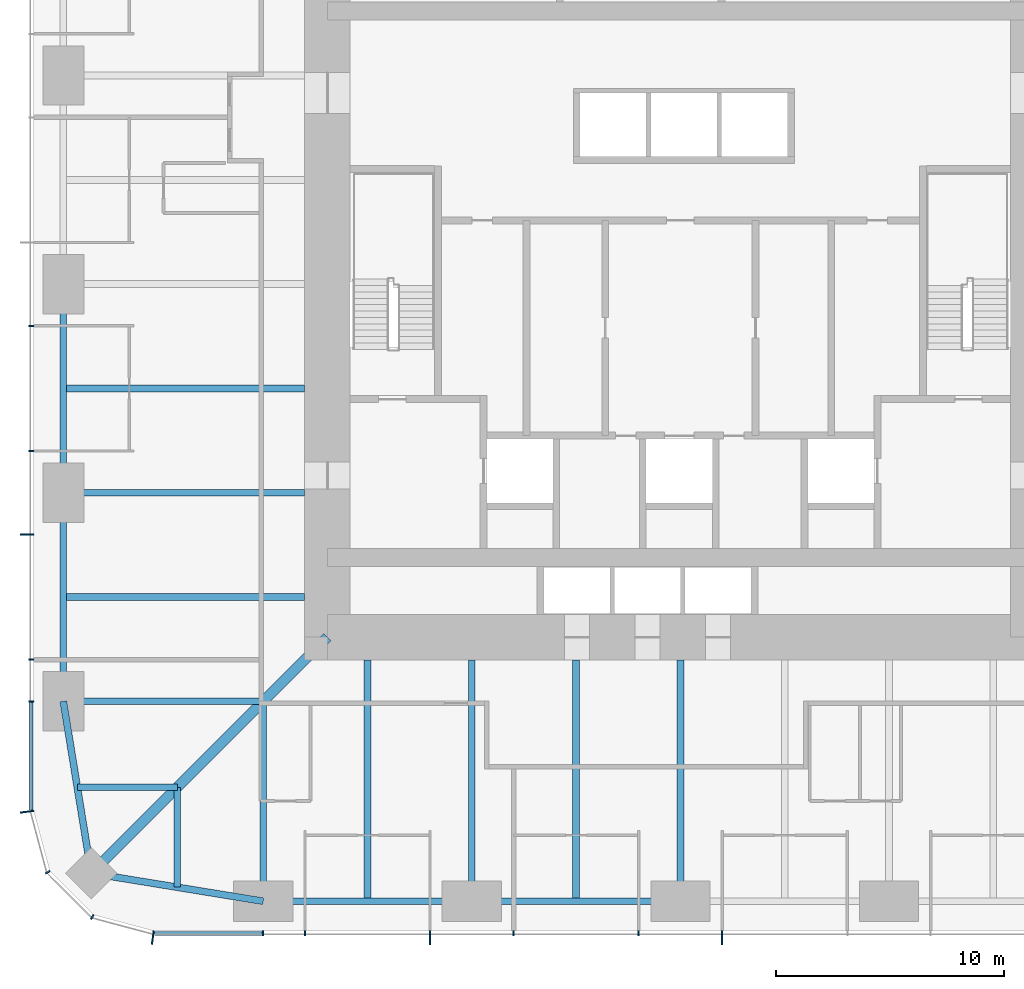
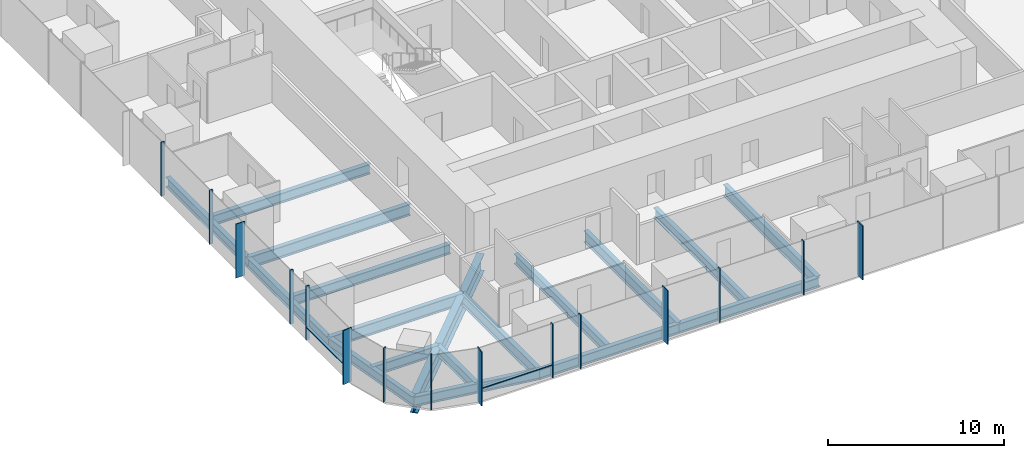
# One storey, part 2 of 12: 18 beams, 17 members, 3 elements without a shape of their own.
"""IFC4 building model written with IfcOpenShell, lengths in metres."""

from ifc_helpers import new_model, si_unit, direction, frame, origin, origin_2d, place, context, subcontext, project, spatial, rectangle, i_section, extrude, material, material_profile, profile_set, type_object, element, aggregate, save


model = new_model("IFC4")

# Units and contexts
model_context = context("Model", 3, precision=1e-05, world=origin(), true_north=direction((0.0, 1.0)))
body_context = subcontext(model_context, "Body", "Model", "MODEL_VIEW")
ifc_project = project(units=[si_unit("LENGTHUNIT", "METRE"), si_unit("AREAUNIT", "SQUARE_METRE"), si_unit("VOLUMEUNIT", "CUBIC_METRE"), si_unit("PLANEANGLEUNIT", "RADIAN"), si_unit("MASSUNIT", "GRAM", prefix="KILO")], contexts=[model_context])

# Site, building, storey
site_placement = place(None, origin())
site = spatial("IfcSite", under=ifc_project, at=site_placement, CompositionType="ELEMENT")
building_placement = place(site_placement, origin())
building = spatial("IfcBuilding", under=site, at=building_placement, Name="Khuree Lantern Residences", CompositionType="ELEMENT")
storey_placement = place(building_placement, frame((0.0, 0.0, 167.25)))
storey = spatial("IfcBuildingStorey", under=building, at=storey_placement, Name="L42", CompositionType="ELEMENT", Elevation=167.25)

# Beams
ifc_material_1 = material(Name="Steel S355", Category="steel")
ifc_material_profile_1 = material_profile(ifc_material_1, i_section(OverallWidth=0.300048828125, OverallDepth=0.68994140625, WebThickness=0.014404296875, FlangeThickness=0.027099609375, FilletRadius=0.027099609375, at=origin_2d()), Name="HE 700 A")
ifc_profile_set_1 = profile_set([ifc_material_profile_1], Name="Steel S355")
beam_type_1 = type_object("IfcBeamType", Name="B-24 SECONDARY BEAM HE 700 A", PredefinedType="BEAM", material=ifc_profile_set_1)
for number, where, z_axis, x_axis, name in (
    (1, (-4.580078125, -27.10009765625, -0.594970703125), (0.0, 1.0, 0.0), (-1.0, 0.0, 0.0), "Secondary beam S4"),
    (2, (-13.739990234375, -27.10009765625, -0.594970703125), (0.0, 1.0, 0.0), (-1.0, 0.0, 0.0), "Secondary beam S5"),
):
    element("IfcBeam", number, at=place(storey_placement, frame(where, z_axis=z_axis, x_axis=x_axis)), inside=storey, type_object=beam_type_1, Name=name, PredefinedType="BEAM", context=body_context, shape_type="SweptSolid", body=[
        extrude(i_section(OverallWidth=0.300048828125, OverallDepth=0.68994140625, WebThickness=0.014404296875, FlangeThickness=0.027099609375, FilletRadius=0.027099609375, at=origin_2d()), origin(), (0.0, 0.0, 1.0), 10.60009765625),
    ])
for number, where, z_axis, x_axis, name in (
    (3, (-22.094970703125, -26.48486328125, -0.594970703125), (0.0, 1.0, 0.0), (-1.0, 0.0, 0.0), "Secondary beam S6"),
    (4, (-26.48486328125, -22.094970703125, -0.594970703125), (1.0, 0.0, 0.0), (0.0, 1.0, 0.0), "Secondary beam W1"),
):
    element("IfcBeam", number, at=place(storey_placement, frame(where, z_axis=z_axis, x_axis=x_axis)), inside=storey, type_object=beam_type_1, Name=name, PredefinedType="BEAM", context=body_context, shape_type="SweptSolid", body=[
        extrude(i_section(OverallWidth=0.300048828125, OverallDepth=0.68994140625, WebThickness=0.014404296875, FlangeThickness=0.027099609375, FilletRadius=0.027099609375, at=origin_2d()), origin(), (0.0, 0.0, 1.0), 4.389892578125),
    ])
for number, where, z_axis, x_axis, name in (
    (5, (-27.10009765625, -13.739990234375, -0.594970703125), (1.0, 0.0, 0.0), (0.0, 1.0, 0.0), "Secondary beam W2"),
    (6, (-27.10009765625, -4.580078125, -0.594970703125), (1.0, 0.0, 0.0), (0.0, 1.0, 0.0), "Secondary beam W3"),
):
    element("IfcBeam", number, at=place(storey_placement, frame(where, z_axis=z_axis, x_axis=x_axis)), inside=storey, type_object=beam_type_1, Name=name, PredefinedType="BEAM", context=body_context, shape_type="SweptSolid", body=[
        extrude(i_section(OverallWidth=0.300048828125, OverallDepth=0.68994140625, WebThickness=0.014404296875, FlangeThickness=0.027099609375, FilletRadius=0.027099609375, at=origin_2d()), origin(), (0.0, 0.0, 1.0), 10.60009765625),
    ])
ifc_material_profile_2 = material_profile(ifc_material_1, i_section(OverallWidth=0.300048828125, OverallDepth=0.68994140625, WebThickness=0.014404296875, FlangeThickness=0.027099609375, FilletRadius=0.027099609375, at=origin_2d()), Name="HE 700 A")
ifc_profile_set_2 = profile_set([ifc_material_profile_2], Name="Steel S355")
beam_type_2 = type_object("IfcBeamType", Name="E-24 SPANDREL BEAM HE 700 A", PredefinedType="SPANDREL", material=ifc_profile_set_2)
beam_1_placement = place(storey_placement, frame((0.0, -27.10009765625, -0.594970703125), z_axis=(-1.0, 0.0, 0.0), x_axis=(0.0, -1.0, 0.0)))
element("IfcBeam", 7, at=beam_1_placement, inside=storey, type_object=beam_type_2, Name="Spandrel beam S4", PredefinedType="SPANDREL", context=body_context, shape_type="SweptSolid", body=[
    extrude(i_section(OverallWidth=0.300048828125, OverallDepth=0.68994140625, WebThickness=0.014404296875, FlangeThickness=0.027099609375, FilletRadius=0.027099609375, at=origin_2d()), origin(), (0.0, 0.0, 1.0), 9.159912109375),
])
beam_2_placement = place(storey_placement, frame((-9.159912109375, -27.10009765625, -0.594970703125), z_axis=(-1.0, 0.0, 0.0), x_axis=(0.0, -1.0, 0.0)))
element("IfcBeam", 8, at=beam_2_placement, inside=storey, type_object=beam_type_2, Name="Spandrel beam S5", PredefinedType="SPANDREL", context=body_context, shape_type="SweptSolid", body=[
    extrude(i_section(OverallWidth=0.300048828125, OverallDepth=0.68994140625, WebThickness=0.014404296875, FlangeThickness=0.027099609375, FilletRadius=0.027099609375, at=origin_2d()), origin(), (0.0, 0.0, 1.0), 9.16015625),
])
for number, where, z_axis, x_axis, name in (
    (9, (-18.320068359375, -27.10009765625, -0.594970703125), (-0.986982656839, 0.160826723833, 0.0), (-0.160826723833, -0.986982656839, 0.0), "Spandrel beam S6"),
    (10, (-25.869873046875, -25.869873046875, -0.594970703125), (-0.160826723833, 0.986982656839, 0.0), (-0.986982656839, -0.160826723833, 0.0), "Spandrel beam W1"),
):
    element("IfcBeam", number, at=place(storey_placement, frame(where, z_axis=z_axis, x_axis=x_axis)), inside=storey, type_object=beam_type_2, Name=name, PredefinedType="SPANDREL", context=body_context, shape_type="SweptSolid", body=[
        extrude(i_section(OverallWidth=0.300048828125, OverallDepth=0.68994140625, WebThickness=0.014404296875, FlangeThickness=0.027099609375, FilletRadius=0.027099609375, at=origin_2d()), origin(), (0.0, 0.0, 1.0), 7.6494140625),
    ])
beam_3_placement = place(storey_placement, frame((-27.10009765625, -18.320068359375, -0.594970703125), z_axis=(0.0, 1.0, 0.0), x_axis=(-1.0, 0.0, 0.0)))
element("IfcBeam", 11, at=beam_3_placement, inside=storey, type_object=beam_type_2, Name="Spandrel beam W2", PredefinedType="SPANDREL", context=body_context, shape_type="SweptSolid", body=[
    extrude(i_section(OverallWidth=0.300048828125, OverallDepth=0.68994140625, WebThickness=0.014404296875, FlangeThickness=0.027099609375, FilletRadius=0.027099609375, at=origin_2d()), origin(), (0.0, 0.0, 1.0), 9.16015625),
])
beam_4_placement = place(storey_placement, frame((-27.10009765625, -9.159912109375, -0.594970703125), z_axis=(0.0, 1.0, 0.0), x_axis=(-1.0, 0.0, 0.0)))
element("IfcBeam", 12, at=beam_4_placement, inside=storey, type_object=beam_type_2, Name="Spandrel beam W3", PredefinedType="SPANDREL", context=body_context, shape_type="SweptSolid", body=[
    extrude(i_section(OverallWidth=0.300048828125, OverallDepth=0.68994140625, WebThickness=0.014404296875, FlangeThickness=0.027099609375, FilletRadius=0.027099609375, at=origin_2d()), origin(), (0.0, 0.0, 1.0), 9.159912109375),
])

# Curtain wall, member
ifc_material_2 = material(Name="Bronze anodised aluminium", Category="aluminium")
curtain_wall_type_1 = type_object("IfcCurtainWallType", Name="CW-T1 TOWER FACE CURTAIN WALL", PredefinedType="USERDEFINED", material=ifc_material_2)
curtain_wall_1_placement = place(storey_placement, origin())
curtain_wall_1 = element("IfcCurtainWall", 13, at=curtain_wall_1_placement, inside=storey, type_object=curtain_wall_type_1, Name="L42 WEST FACE CURTAIN WALL", ObjectType="Stick-built curtain wall", PredefinedType="USERDEFINED")
ifc_material_profile_3 = material_profile(ifc_material_2, rectangle(XDim=0.06494140625, YDim=0.60009765625, at=origin_2d()), Name="F1 65X600")
ifc_profile_set_3 = profile_set([ifc_material_profile_3], Name="Bronze anodised aluminium")
member_type_1 = type_object("IfcMemberType", Name="F1 BRONZE FIN MULLION TOWER 65X600", PredefinedType="MULLION", material=ifc_profile_set_3)
member_1_placement = place(storey_placement, frame((-28.699951171875, -10.991943359375, 0.0), z_axis=(0.0, 0.0, 1.0), x_axis=(0.0, -1.0, 0.0)))
member_1 = element("IfcMember", 14, at=member_1_placement, type_object=member_type_1, Name="L42 WEST FACE FIN MULLION 40", PredefinedType="MULLION", context=body_context, shape_type="SweptSolid", body=[
    extrude(rectangle(XDim=0.06494140625, YDim=0.60009765625, at=origin_2d()), origin(), (0.0, 0.0, 1.0), 3.75),
])

curtain_wall_type_2 = type_object("IfcCurtainWallType", Name="CW-T2 TOWER CORNER CURTAIN WALL", PredefinedType="USERDEFINED", material=ifc_material_2)
curtain_wall_2_placement = place(storey_placement, origin())
curtain_wall_2 = element("IfcCurtainWall", 15, at=curtain_wall_2_placement, inside=storey, type_object=curtain_wall_type_2, Name="L42 SOUTH-WEST CORNER CURTAIN WALL", ObjectType="Faceted corner curtain wall", PredefinedType="USERDEFINED")
member_2_placement = place(storey_placement, frame((-28.7001953125, -23.169677734375, 0.0), z_axis=(0.0, 0.0, 1.0), x_axis=(0.130526223125, -0.991444857305, 0.0)))
member_2 = element("IfcMember", 16, at=member_2_placement, type_object=member_type_1, Name="L42 SOUTH-WEST CORNER FIN MULLION 43", PredefinedType="MULLION", context=body_context, shape_type="SweptSolid", body=[
    extrude(rectangle(XDim=0.06494140625, YDim=0.60009765625, at=origin_2d()), origin(), (0.0, 0.0, 1.0), 3.75),
])

# Curtain wall, members
curtain_wall_3_placement = place(storey_placement, origin())
curtain_wall_3 = element("IfcCurtainWall", 17, at=curtain_wall_3_placement, inside=storey, type_object=curtain_wall_type_1, Name="L42 SOUTH FACE CURTAIN WALL", ObjectType="Stick-built curtain wall", PredefinedType="USERDEFINED")
member_3_placement = place(storey_placement, frame((-23.169677734375, -28.7001953125, 0.0), z_axis=(0.0, 0.0, 1.0), x_axis=(0.991444857305, -0.130526223125, 0.0)))
member_3 = element("IfcMember", 18, at=member_3_placement, type_object=member_type_1, Name="L42 SOUTH FACE FIN MULLION 46", PredefinedType="MULLION", context=body_context, shape_type="SweptSolid", body=[
    extrude(rectangle(XDim=0.06494140625, YDim=0.60009765625, at=origin_2d()), origin(), (0.0, 0.0, 1.0), 3.75),
])
member_4_placement = place(storey_placement, frame((-10.991943359375, -28.699951171875, 0.0), z_axis=(0.0, 0.0, 1.0), x_axis=(1.0, 0.0, 0.0)))
member_4 = element("IfcMember", 19, at=member_4_placement, type_object=member_type_1, Name="L42 SOUTH FACE FIN MULLION 49", PredefinedType="MULLION", context=body_context, shape_type="SweptSolid", body=[
    extrude(rectangle(XDim=0.06494140625, YDim=0.60009765625, at=origin_2d()), origin(), (0.0, 0.0, 1.0), 3.75),
])
member_5_placement = place(storey_placement, frame((1.83203125, -28.699951171875, 0.0), z_axis=(0.0, 0.0, 1.0), x_axis=(1.0, 0.0, 0.0)))
member_5 = element("IfcMember", 20, at=member_5_placement, type_object=member_type_1, Name="L42 SOUTH FACE FIN MULLION 52", PredefinedType="MULLION", context=body_context, shape_type="SweptSolid", body=[
    extrude(rectangle(XDim=0.06494140625, YDim=0.60009765625, at=origin_2d()), origin(), (0.0, 0.0, 1.0), 3.75),
])

# Beams
ifc_material_profile_4 = material_profile(ifc_material_1, i_section(OverallWidth=0.300048828125, OverallDepth=0.800048828125, WebThickness=0.017578125, FlangeThickness=0.032958984375, FilletRadius=0.030029296875, at=origin_2d()), Name="HE 800 B")
ifc_profile_set_4 = profile_set([ifc_material_profile_4], Name="Steel S355")
beam_type_3 = type_object("IfcBeamType", Name="G-24 GIRDER HE 800 B", PredefinedType="BEAM", material=ifc_profile_set_4)
for number, where, z_axis, x_axis, name in (
    (21, (0.0, -27.10009765625, -0.64990234375), (0.0, 1.0, 0.0), (-1.0, 0.0, 0.0), "Girder S3"),
    (22, (-9.159912109375, -27.10009765625, -0.64990234375), (0.0, 1.0, 0.0), (-1.0, 0.0, 0.0), "Girder S4"),
):
    element("IfcBeam", number, at=place(storey_placement, frame(where, z_axis=z_axis, x_axis=x_axis)), inside=storey, type_object=beam_type_3, Name=name, PredefinedType="BEAM", context=body_context, shape_type="SweptSolid", body=[
        extrude(i_section(OverallWidth=0.300048828125, OverallDepth=0.800048828125, WebThickness=0.017578125, FlangeThickness=0.032958984375, FilletRadius=0.030029296875, at=origin_2d()), origin(), (0.0, 0.0, 1.0), 10.60009765625),
    ])
for number, where, z_axis, x_axis, name in (
    (23, (-18.320068359375, -27.10009765625, -0.64990234375), (0.0, 1.0, 0.0), (-1.0, 0.0, 0.0), "Girder S5"),
    (24, (-27.10009765625, -18.320068359375, -0.64990234375), (1.0, 0.0, 0.0), (0.0, 1.0, 0.0), "Girder W1"),
):
    element("IfcBeam", number, at=place(storey_placement, frame(where, z_axis=z_axis, x_axis=x_axis)), inside=storey, type_object=beam_type_3, Name=name, PredefinedType="BEAM", context=body_context, shape_type="SweptSolid", body=[
        extrude(i_section(OverallWidth=0.300048828125, OverallDepth=0.800048828125, WebThickness=0.017578125, FlangeThickness=0.032958984375, FilletRadius=0.030029296875, at=origin_2d()), origin(), (0.0, 0.0, 1.0), 8.780029296875),
    ])
beam_5_placement = place(storey_placement, frame((-27.10009765625, -9.159912109375, -0.64990234375), z_axis=(1.0, 0.0, 0.0), x_axis=(0.0, 1.0, 0.0)))
element("IfcBeam", 25, at=beam_5_placement, inside=storey, type_object=beam_type_3, Name="Girder W2", PredefinedType="BEAM", context=body_context, shape_type="SweptSolid", body=[
    extrude(i_section(OverallWidth=0.300048828125, OverallDepth=0.800048828125, WebThickness=0.017578125, FlangeThickness=0.032958984375, FilletRadius=0.030029296875, at=origin_2d()), origin(), (0.0, 0.0, 1.0), 10.60009765625),
])
ifc_material_profile_5 = material_profile(ifc_material_1, i_section(OverallWidth=0.449951171875, OverallDepth=1.199951171875, WebThickness=0.02490234375, FlangeThickness=0.044921875, at=origin_2d()), Name="WELDED I 1200X450X25X45")
ifc_profile_set_5 = profile_set([ifc_material_profile_5], Name="Steel S355")
beam_type_4 = type_object("IfcBeamType", Name="GD-24 CORNER GIRDER WELDED I 1200X450X25X45", PredefinedType="BEAM", material=ifc_profile_set_5)
beam_6_placement = place(storey_placement, frame((-25.869873046875, -25.869873046875, -0.85009765625), z_axis=(0.707106781187, 0.707106781187, 0.0), x_axis=(-0.707106781187, 0.707106781187, 0.0)))
element("IfcBeam", 26, at=beam_6_placement, inside=storey, type_object=beam_type_4, Name="Corner girder SW", PredefinedType="BEAM", context=body_context, shape_type="SweptSolid", body=[
    extrude(i_section(OverallWidth=0.449951171875, OverallDepth=1.199951171875, WebThickness=0.02490234375, FlangeThickness=0.044921875, at=origin_2d()), origin(), (0.0, 0.0, 1.0), 14.665283203125),
])

# Member
ifc_material_profile_6 = material_profile(ifc_material_2, rectangle(XDim=0.06494140625, YDim=0.219970703125, at=origin_2d()), Name="M1 65X220")
ifc_profile_set_6 = profile_set([ifc_material_profile_6], Name="Bronze anodised aluminium")
member_type_2 = type_object("IfcMemberType", Name="M1 BRONZE MULLION TOWER 65X220", PredefinedType="MULLION", material=ifc_profile_set_6)
member_6_placement = place(storey_placement, frame((-28.510009765625, -1.83203125, 0.0), z_axis=(0.0, 0.0, 1.0), x_axis=(0.0, -1.0, 0.0)))
member_6 = element("IfcMember", 27, at=member_6_placement, type_object=member_type_2, Name="L42 WEST FACE MULLION 38", PredefinedType="MULLION", context=body_context, shape_type="SweptSolid", body=[
    extrude(rectangle(XDim=0.06494140625, YDim=0.219970703125, at=origin_2d()), origin(), (0.0, 0.0, 1.0), 3.75),
])

member_7_placement = place(storey_placement, frame((-28.510009765625, -7.327880859375, 0.0), z_axis=(0.0, 0.0, 1.0), x_axis=(0.0, -1.0, 0.0)))
member_7 = element("IfcMember", 28, at=member_7_placement, type_object=member_type_2, Name="L42 WEST FACE MULLION 39", PredefinedType="MULLION", context=body_context, shape_type="SweptSolid", body=[
    extrude(rectangle(XDim=0.06494140625, YDim=0.219970703125, at=origin_2d()), origin(), (0.0, 0.0, 1.0), 3.75),
])

member_8_placement = place(storey_placement, frame((-28.510009765625, -16.488037109375, 0.0), z_axis=(0.0, 0.0, 1.0), x_axis=(0.0, -1.0, 0.0)))
member_8 = element("IfcMember", 29, at=member_8_placement, type_object=member_type_2, Name="L42 WEST FACE MULLION 41", PredefinedType="MULLION", context=body_context, shape_type="SweptSolid", body=[
    extrude(rectangle(XDim=0.06494140625, YDim=0.219970703125, at=origin_2d()), origin(), (0.0, 0.0, 1.0), 3.75),
])

member_9_placement = place(storey_placement, frame((-28.510009765625, -18.320068359375, 0.0), z_axis=(0.0, 0.0, 1.0), x_axis=(0.0, -1.0, 0.0)))
member_9 = element("IfcMember", 30, at=member_9_placement, type_object=member_type_2, Name="L42 WEST FACE MULLION 42", PredefinedType="MULLION", context=body_context, shape_type="SweptSolid", body=[
    extrude(rectangle(XDim=0.06494140625, YDim=0.219970703125, at=origin_2d()), origin(), (0.0, 0.0, 1.0), 3.75),
])

member_10_placement = place(storey_placement, frame((-27.7919921875, -25.830078125, 0.0), z_axis=(0.0, 0.0, 1.0), x_axis=(0.500000026995, -0.866025388199, 0.0)))
member_10 = element("IfcMember", 31, at=member_10_placement, type_object=member_type_2, Name="L42 SOUTH-WEST CORNER MULLION 44", PredefinedType="MULLION", context=body_context, shape_type="SweptSolid", body=[
    extrude(rectangle(XDim=0.06494140625, YDim=0.219970703125, at=origin_2d()), origin(), (0.0, 0.0, 1.0), 3.75),
])

member_11_placement = place(storey_placement, frame((-25.830078125, -27.7919921875, 0.0), z_axis=(0.0, 0.0, 1.0), x_axis=(0.866025388199, -0.500000026995, 0.0)))
member_11 = element("IfcMember", 32, at=member_11_placement, type_object=member_type_2, Name="L42 SOUTH-WEST CORNER MULLION 45", PredefinedType="MULLION", context=body_context, shape_type="SweptSolid", body=[
    extrude(rectangle(XDim=0.06494140625, YDim=0.219970703125, at=origin_2d()), origin(), (0.0, 0.0, 1.0), 3.75),
])

aggregate(curtain_wall_2, [member_2, member_10, member_11])

member_12_placement = place(storey_placement, frame((-18.320068359375, -28.510009765625, 0.0), z_axis=(0.0, 0.0, 1.0), x_axis=(1.0, 0.0, 0.0)))
member_12 = element("IfcMember", 33, at=member_12_placement, type_object=member_type_2, Name="L42 SOUTH FACE MULLION 47", PredefinedType="MULLION", context=body_context, shape_type="SweptSolid", body=[
    extrude(rectangle(XDim=0.06494140625, YDim=0.219970703125, at=origin_2d()), origin(), (0.0, 0.0, 1.0), 3.75),
])

member_13_placement = place(storey_placement, frame((-16.488037109375, -28.510009765625, 0.0), z_axis=(0.0, 0.0, 1.0), x_axis=(1.0, 0.0, 0.0)))
member_13 = element("IfcMember", 34, at=member_13_placement, type_object=member_type_2, Name="L42 SOUTH FACE MULLION 48", PredefinedType="MULLION", context=body_context, shape_type="SweptSolid", body=[
    extrude(rectangle(XDim=0.06494140625, YDim=0.219970703125, at=origin_2d()), origin(), (0.0, 0.0, 1.0), 3.75),
])

member_14_placement = place(storey_placement, frame((-7.327880859375, -28.510009765625, 0.0), z_axis=(0.0, 0.0, 1.0), x_axis=(1.0, 0.0, 0.0)))
member_14 = element("IfcMember", 35, at=member_14_placement, type_object=member_type_2, Name="L42 SOUTH FACE MULLION 50", PredefinedType="MULLION", context=body_context, shape_type="SweptSolid", body=[
    extrude(rectangle(XDim=0.06494140625, YDim=0.219970703125, at=origin_2d()), origin(), (0.0, 0.0, 1.0), 3.75),
])

member_15_placement = place(storey_placement, frame((-1.83203125, -28.510009765625, 0.0), z_axis=(0.0, 0.0, 1.0), x_axis=(1.0, 0.0, 0.0)))
member_15 = element("IfcMember", 36, at=member_15_placement, type_object=member_type_2, Name="L42 SOUTH FACE MULLION 51", PredefinedType="MULLION", context=body_context, shape_type="SweptSolid", body=[
    extrude(rectangle(XDim=0.06494140625, YDim=0.219970703125, at=origin_2d()), origin(), (0.0, 0.0, 1.0), 3.75),
])

ifc_material_profile_7 = material_profile(ifc_material_2, rectangle(XDim=0.179931640625, YDim=0.06494140625, at=origin_2d()), Name="T1 180X65")
ifc_profile_set_7 = profile_set([ifc_material_profile_7], Name="Bronze anodised aluminium")
member_type_3 = type_object("IfcMemberType", Name="TRANSOM T1 TOWER 180X65", PredefinedType="USERDEFINED", material=ifc_profile_set_7)
member_16_placement = place(storey_placement, frame((-28.52001953125, -18.3525390625, 0.89990234375), z_axis=(0.0, -1.0, 0.0), x_axis=(1.0, 0.0, 0.0)))
member_16 = element("IfcMember", 37, at=member_16_placement, type_object=member_type_3, Name="L42 WEST FACE TRANSOM 42.1", ObjectType="Transom", PredefinedType="USERDEFINED", context=body_context, shape_type="SweptSolid", body=[
    extrude(rectangle(XDim=0.179931640625, YDim=0.06494140625, at=origin_2d()), origin(), (0.0, 0.0, 1.0), 4.748779296875),
])

aggregate(curtain_wall_1, [member_6, member_7, member_1, member_8, member_9, member_16])

member_17_placement = place(storey_placement, frame((-23.101318359375, -28.52001953125, 0.89990234375), z_axis=(1.0, 0.0, 0.0), x_axis=(0.0, 1.0, 0.0)))
member_17 = element("IfcMember", 38, at=member_17_placement, type_object=member_type_3, Name="L42 SOUTH FACE TRANSOM 46.1", ObjectType="Transom", PredefinedType="USERDEFINED", context=body_context, shape_type="SweptSolid", body=[
    extrude(rectangle(XDim=0.179931640625, YDim=0.06494140625, at=origin_2d()), origin(), (0.0, 0.0, 1.0), 4.748779296875),
])

aggregate(curtain_wall_3, [member_3, member_12, member_13, member_4, member_14, member_15, member_5, member_17])

save(model, "model.ifc")
